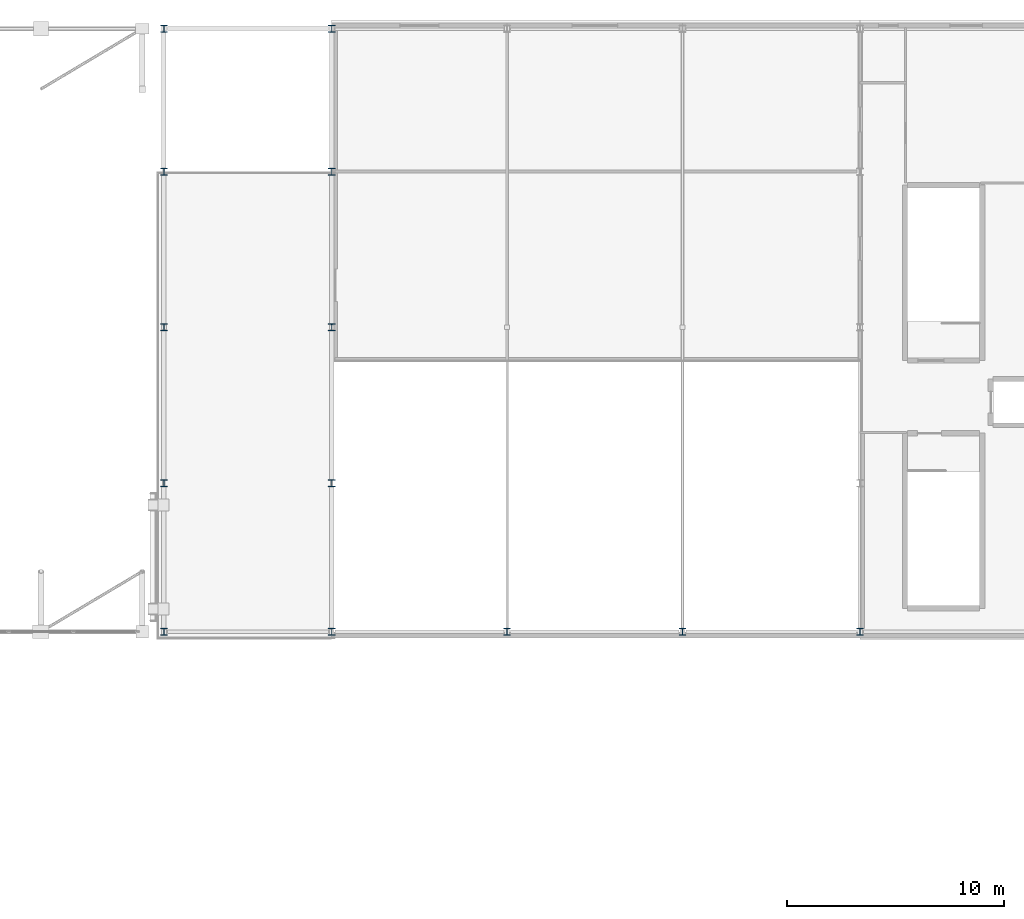
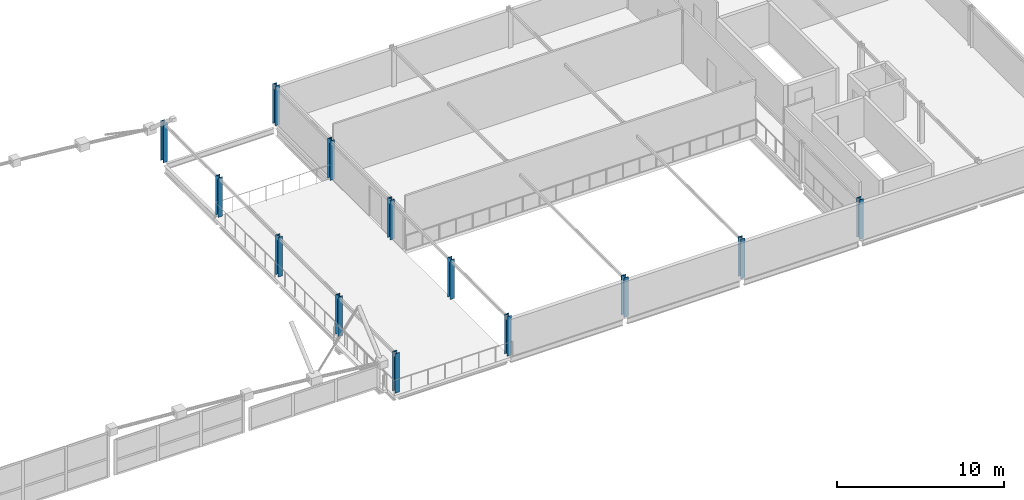
# One storey, part 4 of 60: 13 columns.
"""IFC4 building model written with IfcOpenShell, lengths in metres."""

from ifc_helpers import new_model, si_unit, direction, frame, origin, origin_2d, place, context, subcontext, project, spatial, i_section, extrude, material, material_profile, profile_set, type_object, element, save


model = new_model("IFC4")

# Units and contexts
model_context = context("Model", 3, precision=1e-05, world=origin(), true_north=direction((0.0, 1.0)))
body_context = subcontext(model_context, "Body", "Model", "MODEL_VIEW")
ifc_project = project(units=[si_unit("LENGTHUNIT", "METRE"), si_unit("AREAUNIT", "SQUARE_METRE"), si_unit("VOLUMEUNIT", "CUBIC_METRE"), si_unit("PLANEANGLEUNIT", "RADIAN"), si_unit("MASSUNIT", "GRAM", prefix="KILO")], contexts=[model_context])

# Site, building, storey
site_placement = place(None, origin())
site = spatial("IfcSite", under=ifc_project, at=site_placement, CompositionType="ELEMENT")
building_placement = place(site_placement, origin())
building = spatial("IfcBuilding", under=site, at=building_placement, Name="Quillay Park Conservatory", CompositionType="ELEMENT")
storey_placement = place(building_placement, frame((0.0, 0.0, 9.89990234375)))
storey = spatial("IfcBuildingStorey", under=building, at=storey_placement, Name="L02", CompositionType="ELEMENT", Elevation=9.89990234375)

# Columns
ifc_material = material(Name="Steel ASTM A992 Grade 50", Category="steel")
ifc_material_profile = material_profile(ifc_material, i_section(OverallWidth=0.30908203125, OverallDepth=0.322998046875, WebThickness=0.013916015625, FlangeThickness=0.02294921875, FilletRadius=0.014892578125, at=origin_2d()), Name="W310x143")
ifc_profile_set = profile_set([ifc_material_profile], Name="Steel ASTM A992 Grade 50")
column_type = type_object("IfcColumnType", Name="COMPOSITE STEEL COLUMN W310 X143", PredefinedType="COLUMN", material=ifc_profile_set)
for number, where, z_axis, x_axis, name in (
    (1, (115.85009765625, 85.550048828125, 0.0), (0.0, 0.0, 1.0), (1.0, 0.0, 0.0), "L02 column COL-V2-L02-0-0"),
    (2, (115.85009765625, 92.39990234375, 0.0), (0.0, 0.0, 1.0), (1.0, 0.0, 0.0), "L02 column COL-V2-L02-0-1"),
    (3, (115.85009765625, 99.60009765625, 0.0), (0.0, 0.0, 1.0), (1.0, 0.0, 0.0), "L02 column COL-V2-L02-0-2"),
    (4, (115.85009765625, 106.800048828125, 0.0), (0.0, 0.0, 1.0), (1.0, 0.0, 0.0), "L02 column COL-V2-L02-0-3"),
    (5, (115.85009765625, 113.39990234375, 0.0), (0.0, 0.0, 1.0), (1.0, 0.0, 0.0), "L02 column COL-V2-L02-0-4"),
    (6, (123.60009765625, 85.550048828125, 0.0), (0.0, 0.0, 1.0), (1.0, 0.0, 0.0), "L02 column COL-V2-L02-1-0"),
    (7, (123.60009765625, 92.39990234375, 0.0), (0.0, 0.0, 1.0), (1.0, 0.0, 0.0), "L02 column COL-V2-L02-1-1"),
    (8, (123.60009765625, 99.60009765625, 0.0), (0.0, 0.0, 1.0), (1.0, 0.0, 0.0), "L02 column COL-V2-L02-1-2"),
    (9, (123.60009765625, 106.800048828125, 0.0), (0.0, 0.0, 1.0), (1.0, 0.0, 0.0), "L02 column COL-V2-L02-1-3"),
    (10, (123.60009765625, 113.39990234375, 0.0), (0.0, 0.0, 1.0), (1.0, 0.0, 0.0), "L02 column COL-V2-L02-1-4"),
    (11, (131.699951171875, 85.550048828125, 0.0), (0.0, 0.0, 1.0), (1.0, 0.0, 0.0), "L02 column COL-V2-L02-2-0"),
    (12, (139.800048828125, 85.550048828125, 0.0), (0.0, 0.0, 1.0), (1.0, 0.0, 0.0), "L02 column COL-V2-L02-3-0"),
    (13, (148.0, 85.550048828125, 0.0), (0.0, 0.0, 1.0), (1.0, 0.0, 0.0), "L02 column COL-V2-L02-4-0"),
):
    element("IfcColumn", number, at=place(storey_placement, frame(where, z_axis=z_axis, x_axis=x_axis)), inside=storey, type_object=column_type, Name=name, PredefinedType="COLUMN", context=body_context, shape_type="SweptSolid", body=[
        extrude(i_section(OverallWidth=0.30908203125, OverallDepth=0.322998046875, WebThickness=0.013916015625, FlangeThickness=0.02294921875, FilletRadius=0.014892578125, at=origin_2d()), origin(), (0.0, 0.0, 1.0), 2.900146484375),
    ])

save(model, "model.ifc")
